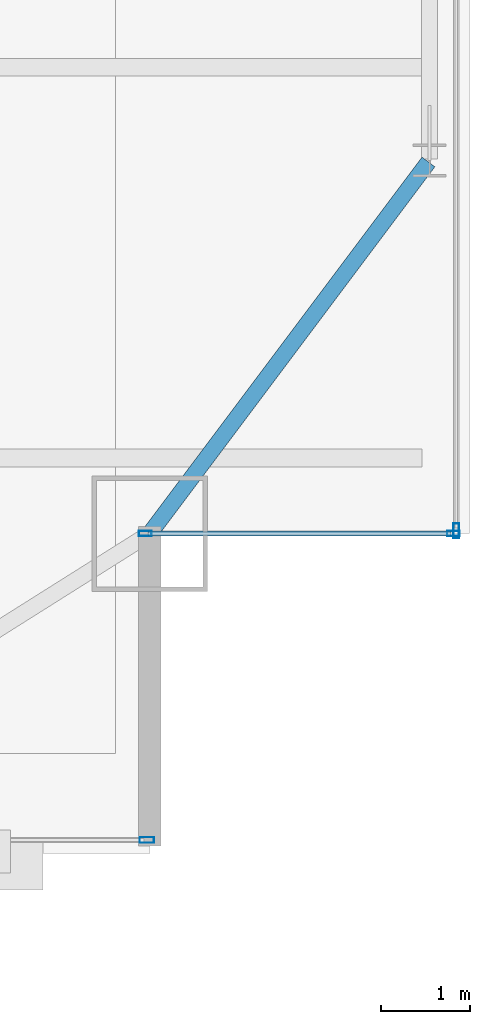
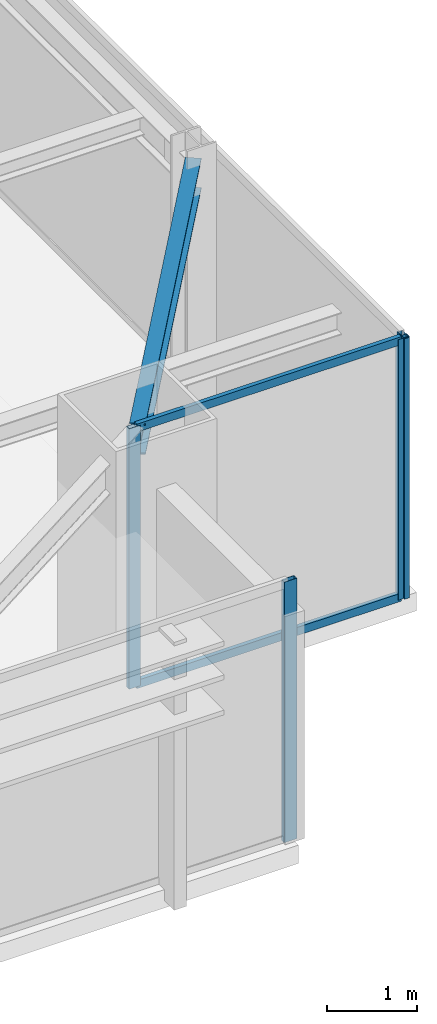
# One storey, part 16 of 31: 6 members, 1 beam, 3 elements without a shape of their own.
"""IFC4 building model written with IfcOpenShell, lengths in metres."""

from ifc_helpers import new_model, si_unit, direction, frame, origin, origin_2d, place, context, subcontext, project, spatial, hollow_rectangle, i_section, extrude, source, transform, mapped, material, layer, layer_set, material_profile, profile_set, type_object, type_shapes, element, aggregate, save


model = new_model("IFC4")

# Units and contexts
model_context = context("Model", 3, precision=1e-05, world=origin(), true_north=direction((0.0, 1.0)))
body_context = subcontext(model_context, "Body", "Model", "MODEL_VIEW")
ifc_project = project(units=[si_unit("LENGTHUNIT", "METRE"), si_unit("AREAUNIT", "SQUARE_METRE"), si_unit("VOLUMEUNIT", "CUBIC_METRE"), si_unit("PLANEANGLEUNIT", "RADIAN"), si_unit("MASSUNIT", "GRAM", prefix="KILO")], contexts=[model_context])

# Site, building, storey
site_placement = place(None, origin())
site = spatial("IfcSite", under=ifc_project, at=site_placement, CompositionType="ELEMENT")
building_placement = place(site_placement, origin())
building = spatial("IfcBuilding", under=site, at=building_placement, Name="Varnel Quay Broadcast Tower", CompositionType="ELEMENT")
storey_placement = place(building_placement, frame((0.0, 0.0, 157.199951171875)))
storey = spatial("IfcBuildingStorey", under=building, at=storey_placement, Name="L38", CompositionType="ELEMENT", Elevation=157.199951171875)

# Beam
ifc_material_1 = material(Name="Structural Steel CSA G40.21 350W", Category="steel")
ifc_material_profile_1 = material_profile(ifc_material_1, i_section(OverallWidth=0.180908203125, OverallDepth=0.4169921875, WebThickness=0.010986328125, FlangeThickness=0.018310546875, FilletRadius=0.011962890625, at=origin_2d()), Name="W410X85")
ifc_profile_set_1 = profile_set([ifc_material_profile_1], Name="Structural Steel CSA G40.21 350W")
beam_type = type_object("IfcBeamType", Name="Beam_W410X85", PredefinedType="SPANDREL", material=ifc_profile_set_1)
shared_shape_1 = source(origin(), body_context, "Body", "SweptSolid", [
    extrude(i_section(OverallWidth=0.180908203125, OverallDepth=0.4169921875, WebThickness=0.010986328125, FlangeThickness=0.018310546875, FilletRadius=0.011962890625, at=origin_2d()), origin(), (0.0, 0.0, 1.0), 5.2099609375),
])
type_shapes(beam_type, [shared_shape_1])
beam_placement = place(storey_placement, frame((57.412109375, 10.81591796875, 3.341552734375), z_axis=(0.6, 0.8, 0.0), x_axis=(-0.8, 0.6, 0.0)))
element("IfcBeam", 1, at=beam_placement, inside=storey, type_object=beam_type, Name="L38 East Spandrel MC-SE-TC-E1", PredefinedType="SPANDREL", context=body_context, shape_type="MappedRepresentation", body=[
    mapped(shared_shape_1, transform((0.0, 0.0, 0.0), x_axis=(1.0, 0.0, 0.0), y_axis=(0.0, 1.0, 0.0), z_axis=(0.0, 0.0, 1.0), scale=1.0)),
])

# Curtain wall, members
ifc_material_2 = material(Name="Anodised Bronze Aluminium 6063-T6", Category="aluminium")
ifc_layer_1 = layer(ifc_material_2, 0.18994140625, Name="Anodised Bronze Aluminium 6063-T6")
ifc_layer_set_1 = layer_set([ifc_layer_1], Name="Anodised Bronze Aluminium 6063-T6")
curtain_wall_type_1 = type_object("IfcCurtainWallType", Name="CW_NotchCorner", PredefinedType="NOTDEFINED", material=ifc_layer_set_1)
curtain_wall_1_placement = place(storey_placement, origin())
curtain_wall_1 = element("IfcCurtainWall", 2, at=curtain_wall_1_placement, inside=storey, type_object=curtain_wall_type_1, Name="L38 SE Notch Curtain Wall", PredefinedType="NOTDEFINED")
ifc_material_profile_2 = material_profile(ifc_material_2, hollow_rectangle(XDim=0.054931640625, YDim=0.110107421875, WallThickness=0.0029296875, at=origin_2d()), Name="ALU55X110X3")
ifc_profile_set_2 = profile_set([ifc_material_profile_2], Name="Anodised Bronze Aluminium 6063-T6")
member_type_1 = type_object("IfcMemberType", Name="Tran_CWS-04", PredefinedType="USERDEFINED", material=ifc_profile_set_2)
shared_shape_2 = source(origin(), body_context, "Body", "SweptSolid", [
    extrude(hollow_rectangle(XDim=0.054931640625, YDim=0.110107421875, WallThickness=0.0029296875, at=origin_2d()), origin(), (0.0, 0.0, 1.0), 3.41015625),
])
type_shapes(member_type_1, [shared_shape_2])
member_1_placement = place(storey_placement, frame((57.3798828125, 10.800048828125, 0.027587890625), z_axis=(1.0, 0.0, 0.0), x_axis=(0.0, 1.0, 0.0)))
member_1 = element("IfcMember", 3, at=member_1_placement, type_object=member_type_1, Name="CWS-04 transom 1.1", ObjectType="TRANSOM", PredefinedType="USERDEFINED", context=body_context, shape_type="MappedRepresentation", body=[
    mapped(shared_shape_2, transform((0.0, 0.0, 0.0), x_axis=(1.0, 0.0, 0.0), y_axis=(0.0, 1.0, 0.0), z_axis=(0.0, 0.0, 1.0), scale=1.0)),
])
member_2_placement = place(storey_placement, frame((57.3798828125, 10.800048828125, 3.5224609375), z_axis=(1.0, 0.0, 0.0), x_axis=(0.0, 1.0, 0.0)))
member_2 = element("IfcMember", 4, at=member_2_placement, type_object=member_type_1, Name="CWS-04 transom 1.2", ObjectType="TRANSOM", PredefinedType="USERDEFINED", context=body_context, shape_type="MappedRepresentation", body=[
    mapped(shared_shape_2, transform((0.0, 0.0, 0.0), x_axis=(1.0, 0.0, 0.0), y_axis=(0.0, 1.0, 0.0), z_axis=(0.0, 0.0, 1.0), scale=1.0)),
])
ifc_material_profile_3 = material_profile(ifc_material_2, hollow_rectangle(XDim=0.06005859375, YDim=0.14501953125, WallThickness=0.00341796875, at=origin_2d()), Name="ALU60X145X3.5")
ifc_profile_set_3 = profile_set([ifc_material_profile_3], Name="Anodised Bronze Aluminium 6063-T6")
member_type_2 = type_object("IfcMemberType", Name="Mull_CWS-04", PredefinedType="MULLION", material=ifc_profile_set_3)
shared_shape_3 = source(origin(), body_context, "Body", "SweptSolid", [
    extrude(hollow_rectangle(XDim=0.06005859375, YDim=0.14501953125, WallThickness=0.00341796875, at=origin_2d()), origin(), (0.0, 0.0, 1.0), 3.550048828125),
])
type_shapes(member_type_2, [shared_shape_3])
member_3_placement = place(storey_placement, frame((57.35009765625, 10.800048828125, 0.0), z_axis=(0.0, 0.0, 1.0), x_axis=(0.0, 1.0, 0.0)))
member_3 = element("IfcMember", 5, at=member_3_placement, type_object=member_type_2, Name="CWS-04 mullion 1", PredefinedType="MULLION", context=body_context, shape_type="MappedRepresentation", body=[
    mapped(shared_shape_3, transform((0.0, 0.0, 0.0), x_axis=(1.0, 0.0, 0.0), y_axis=(0.0, 1.0, 0.0), z_axis=(0.0, 0.0, 1.0), scale=1.0)),
])
member_4_placement = place(storey_placement, frame((60.820068359375, 10.800048828125, 0.0), z_axis=(0.0, 0.0, 1.0), x_axis=(0.0, 1.0, 0.0)))
member_4 = element("IfcMember", 6, at=member_4_placement, type_object=member_type_2, Name="CWS-04 mullion 2", PredefinedType="MULLION", context=body_context, shape_type="MappedRepresentation", body=[
    mapped(shared_shape_3, transform((0.0, 0.0, 0.0), x_axis=(1.0, 0.0, 0.0), y_axis=(0.0, 1.0, 0.0), z_axis=(0.0, 0.0, 1.0), scale=1.0)),
])
aggregate(curtain_wall_1, [member_3, member_4, member_1, member_2])

# Curtain wall, member
ifc_layer_2 = layer(ifc_material_2, 0.18994140625, Name="Anodised Bronze Aluminium 6063-T6")
ifc_layer_set_2 = layer_set([ifc_layer_2], Name="Anodised Bronze Aluminium 6063-T6")
curtain_wall_type_2 = type_object("IfcCurtainWallType", Name="CW_UpperTower", PredefinedType="NOTDEFINED", material=ifc_layer_set_2)
curtain_wall_2_placement = place(storey_placement, origin())
curtain_wall_2 = element("IfcCurtainWall", 7, at=curtain_wall_2_placement, inside=storey, type_object=curtain_wall_type_2, Name="L38 South Unitised Curtain Wall 3", PredefinedType="NOTDEFINED")
ifc_material_profile_4 = material_profile(ifc_material_2, hollow_rectangle(XDim=0.06494140625, YDim=0.1650390625, WallThickness=0.00341796875, at=origin_2d()), Name="ALU65X165X3.5")
ifc_profile_set_4 = profile_set([ifc_material_profile_4], Name="Anodised Bronze Aluminium 6063-T6")
member_type_3 = type_object("IfcMemberType", Name="Mull_CWS-03", PredefinedType="MULLION", material=ifc_profile_set_4)
shared_shape_4 = source(origin(), body_context, "Body", "SweptSolid", [
    extrude(hollow_rectangle(XDim=0.06494140625, YDim=0.1650390625, WallThickness=0.00341796875, at=origin_2d()), origin(), (0.0, 0.0, 1.0), 3.550048828125),
])
type_shapes(member_type_3, [shared_shape_4])
member_5_placement = place(storey_placement, frame((57.367431640625, 7.35009765625, 0.0), z_axis=(0.0, 0.0, 1.0), x_axis=(0.0, 1.0, 0.0)))
member_5 = element("IfcMember", 8, at=member_5_placement, type_object=member_type_3, Name="CWS-03 mullion 2", PredefinedType="MULLION", context=body_context, shape_type="MappedRepresentation", body=[
    mapped(shared_shape_4, transform((0.0, 0.0, 0.0), x_axis=(1.0, 0.0, 0.0), y_axis=(0.0, 1.0, 0.0), z_axis=(0.0, 0.0, 1.0), scale=1.0)),
])
aggregate(curtain_wall_2, [member_5])

curtain_wall_3_placement = place(storey_placement, origin())
curtain_wall_3 = element("IfcCurtainWall", 9, at=curtain_wall_3_placement, inside=storey, type_object=curtain_wall_type_2, Name="L38 East Unitised Curtain Wall", PredefinedType="NOTDEFINED")
member_6_placement = place(storey_placement, frame((60.85009765625, 10.83251953125, 0.0), z_axis=(0.0, 0.0, 1.0), x_axis=(-1.0, 0.0, 0.0)))
member_6 = element("IfcMember", 10, at=member_6_placement, type_object=member_type_3, Name="CWS-03 mullion 1", PredefinedType="MULLION", context=body_context, shape_type="MappedRepresentation", body=[
    mapped(shared_shape_4, transform((0.0, 0.0, 0.0), x_axis=(1.0, 0.0, 0.0), y_axis=(0.0, 1.0, 0.0), z_axis=(0.0, 0.0, 1.0), scale=1.0)),
])
aggregate(curtain_wall_3, [member_6])

save(model, "model.ifc")
